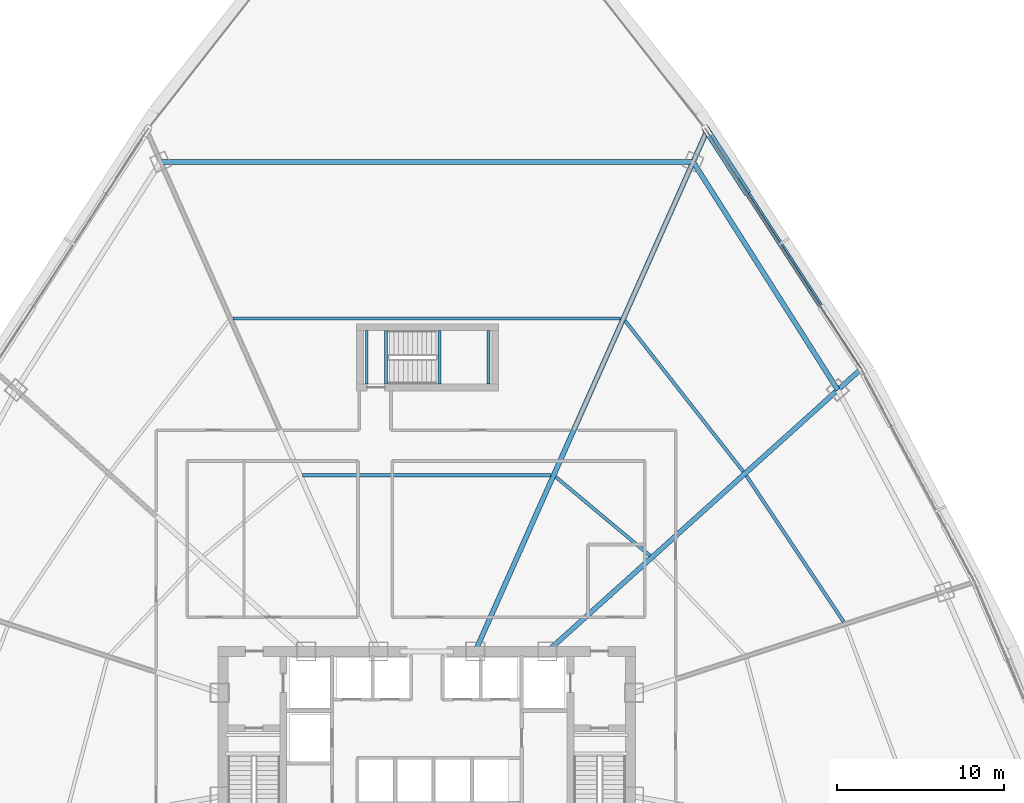
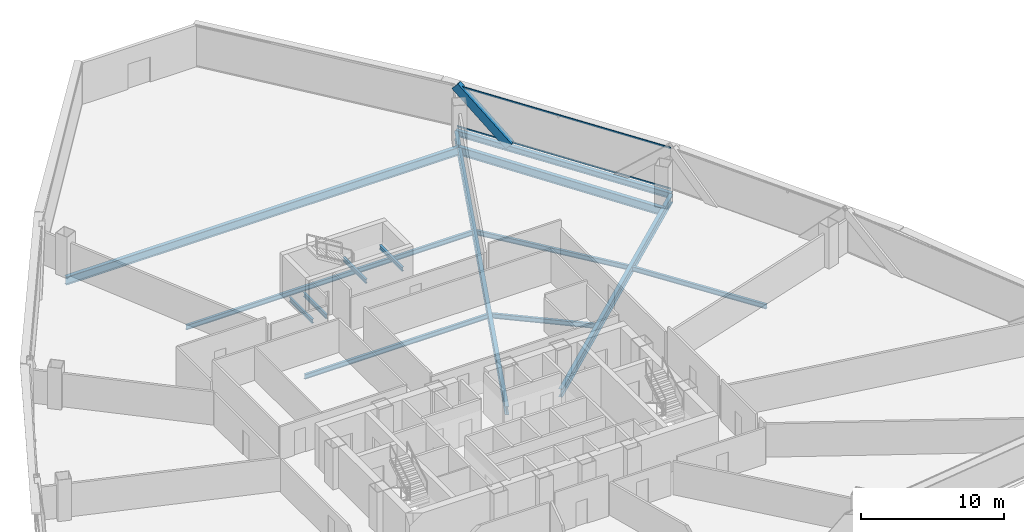
# One storey, part 17 of 39: 14 beams, 3 members, 1 element without a shape of its own.
"""IFC4 building model written with IfcOpenShell, lengths in metres."""

from ifc_helpers import new_model, si_unit, direction, frame, origin, origin_2d, place, context, subcontext, project, spatial, hollow_rectangle, i_section, extrude, source, transform, mapped, material, layer, layer_set, material_profile, profile_set, type_object, element, aggregate, save


model = new_model("IFC4")

# Units and contexts
model_context = context("Model", 3, precision=1e-05, world=origin(), true_north=direction((0.0, 1.0)))
body_context = subcontext(model_context, "Body", "Model", "MODEL_VIEW")
ifc_project = project(units=[si_unit("LENGTHUNIT", "METRE"), si_unit("AREAUNIT", "SQUARE_METRE"), si_unit("VOLUMEUNIT", "CUBIC_METRE"), si_unit("PLANEANGLEUNIT", "RADIAN"), si_unit("MASSUNIT", "GRAM", prefix="KILO"), si_unit("THERMODYNAMICTEMPERATUREUNIT", "KELVIN"), si_unit("POWERUNIT", "WATT")], contexts=[model_context])

# Site, building, storey
site_placement = place(None, origin())
site = spatial("IfcSite", under=ifc_project, at=site_placement, CompositionType="ELEMENT")
building_placement = place(site_placement, origin())
building = spatial("IfcBuilding", under=site, at=building_placement, Name="Yunzhuo Pagoda Commons", CompositionType="ELEMENT")
storey_placement = place(building_placement, frame((0.0, 0.0, 92.580078125)))
storey = spatial("IfcBuildingStorey", under=building, at=storey_placement, Name="L23", CompositionType="ELEMENT", Elevation=92.580078125)

# Beams
ifc_material_1 = material(Name="Structural steel Q355B", Category="steel")
ifc_material_profile_1 = material_profile(ifc_material_1, i_section(OverallWidth=0.175048828125, OverallDepth=0.35009765625, WebThickness=0.007080078125, FlangeThickness=0.010986328125, at=origin_2d()), Name="Structural steel Q355B")
ifc_profile_set_1 = profile_set([ifc_material_profile_1], Name="Structural steel Q355B")
beam_type_1 = type_object("IfcBeamType", Name="B-JS2 Joist HN 350x175x7x11", PredefinedType="JOIST", material=ifc_profile_set_1)
shared_shape_1 = source(origin(), body_context, "Body", "SweptSolid", [
    extrude(i_section(OverallWidth=0.175048828125, OverallDepth=0.35009765625, WebThickness=0.007080078125, FlangeThickness=0.010986328125, at=origin_2d()), origin(), (0.0, 0.0, 1.0), 3.199951171875),
])
for number, where, z_axis, x_axis, name in (
    (1, (48.75, 56.199951171875, 1.525146484375), (0.0, 1.0, 0.0), (-1.0, 0.0, 0.0), "L23 ST3 landing support beam 29A"),
    (2, (51.699951171875, 56.199951171875, 1.525146484375), (0.0, 1.0, 0.0), (-1.0, 0.0, 0.0), "L23 ST3 landing support beam 29B"),
    (3, (44.39990234375, 56.199951171875, -0.375), (0.0, 1.0, 0.0), (-1.0, 0.0, 0.0), "L23 ST3 landing support beam 97A"),
    (4, (45.550048828125, 56.199951171875, -0.375), (0.0, 1.0, 0.0), (-1.0, 0.0, 0.0), "L23 ST3 landing support beam 97B"),
):
    element("IfcBeam", number, at=place(storey_placement, frame(where, z_axis=z_axis, x_axis=x_axis)), inside=storey, type_object=beam_type_1, Name=name, PredefinedType="JOIST", context=body_context, shape_type="MappedRepresentation", body=[
        mapped(shared_shape_1, transform((0.0, 0.0, 0.0), scale=1.0)),
    ])
ifc_material_profile_2 = material_profile(ifc_material_1, i_section(OverallWidth=0.300048828125, OverallDepth=0.699951171875, WebThickness=0.012939453125, FlangeThickness=0.02392578125, at=origin_2d()), Name="Structural steel Q355B")
ifc_profile_set_2 = profile_set([ifc_material_profile_2], Name="Structural steel Q355B")
beam_type_2 = type_object("IfcBeamType", Name="B-RG1 Beam HN 700x300x13x24", PredefinedType="BEAM", material=ifc_profile_set_2)
shared_shape_2 = source(origin(), body_context, "Body", "SweptSolid", [
    extrude(i_section(OverallWidth=0.300048828125, OverallDepth=0.699951171875, WebThickness=0.012939453125, FlangeThickness=0.02392578125, at=origin_2d()), origin(), (0.0, 0.0, 1.0), 16.16845703125),
])
beam_1_placement = place(storey_placement, frame((72.602783203125, 55.852294921875, -0.610107421875), z_axis=(-0.535695673154, 0.844411123662, 0.0), x_axis=(-0.844411123662, -0.535695673154, 0.0)))
element("IfcBeam", 5, at=beam_1_placement, inside=storey, type_object=beam_type_2, Name="L23 column-ring beam 7", PredefinedType="BEAM", context=body_context, shape_type="MappedRepresentation", body=[
    mapped(shared_shape_2, transform((0.0, 0.0, 0.0), scale=1.0)),
])
shared_shape_3 = source(origin(), body_context, "Body", "SweptSolid", [
    extrude(i_section(OverallWidth=0.300048828125, OverallDepth=0.699951171875, WebThickness=0.012939453125, FlangeThickness=0.02392578125, at=origin_2d()), origin(), (0.0, 0.0, 1.0), 31.8828125),
])
beam_2_placement = place(storey_placement, frame((63.94140625, 69.505126953125, -0.610107421875), z_axis=(-1.0, 0.0, 0.0), x_axis=(0.0, -1.0, 0.0)))
element("IfcBeam", 6, at=beam_2_placement, inside=storey, type_object=beam_type_2, Name="L23 column-ring beam 8", PredefinedType="BEAM", context=body_context, shape_type="MappedRepresentation", body=[
    mapped(shared_shape_3, transform((0.0, 0.0, 0.0), scale=1.0)),
])
ifc_material_profile_3 = material_profile(ifc_material_1, i_section(OverallWidth=0.199951171875, OverallDepth=0.39990234375, WebThickness=0.008056640625, FlangeThickness=0.012939453125, at=origin_2d()), Name="Structural steel Q355B")
ifc_profile_set_3 = profile_set([ifc_material_profile_3], Name="Structural steel Q355B")
beam_type_3 = type_object("IfcBeamType", Name="B-JS1 Joist HN 400x200x8x13", PredefinedType="JOIST", material=ifc_profile_set_3)
shared_shape_4 = source(origin(), body_context, "Body", "SweptSolid", [
    extrude(i_section(OverallWidth=0.199951171875, OverallDepth=0.39990234375, WebThickness=0.008056640625, FlangeThickness=0.012939453125, at=origin_2d()), origin(), (0.0, 0.0, 1.0), 10.50537109375),
])
beam_3_placement = place(storey_placement, frame((72.95361328125, 41.968994140625, -0.4599609375), z_axis=(-0.554523204193, 0.832168261839, 0.0), x_axis=(-0.832168261839, -0.554523204193, 0.0)))
element("IfcBeam", 7, at=beam_3_placement, inside=storey, type_object=beam_type_3, Name="L23 composite ring joist 2.6", PredefinedType="JOIST", context=body_context, shape_type="MappedRepresentation", body=[
    mapped(shared_shape_4, transform((0.0, 0.0, 0.0), scale=1.0)),
])
shared_shape_5 = source(origin(), body_context, "Body", "SweptSolid", [
    extrude(i_section(OverallWidth=0.199951171875, OverallDepth=0.39990234375, WebThickness=0.008056640625, FlangeThickness=0.012939453125, at=origin_2d()), origin(), (0.0, 0.0, 1.0), 7.350341796875),
])
beam_4_placement = place(storey_placement, frame((61.355224609375, 45.936767578125, -0.4599609375), z_axis=(-0.767589283892, 0.640942034239, 0.0), x_axis=(-0.640942034239, -0.767589283892, 0.0)))
element("IfcBeam", 8, at=beam_4_placement, inside=storey, type_object=beam_type_3, Name="L23 composite ring joist 1.7", PredefinedType="JOIST", context=body_context, shape_type="MappedRepresentation", body=[
    mapped(shared_shape_5, transform((0.0, 0.0, 0.0), scale=1.0)),
])
shared_shape_6 = source(origin(), body_context, "Body", "SweptSolid", [
    extrude(i_section(OverallWidth=0.199951171875, OverallDepth=0.39990234375, WebThickness=0.008056640625, FlangeThickness=0.012939453125, at=origin_2d()), origin(), (0.0, 0.0, 1.0), 11.475830078125),
])
beam_5_placement = place(storey_placement, frame((66.942138671875, 50.96875, -0.4599609375), z_axis=(-0.616739539478, 0.787167288728, 0.0), x_axis=(-0.787167288728, -0.616739539478, 0.0)))
element("IfcBeam", 9, at=beam_5_placement, inside=storey, type_object=beam_type_3, Name="L23 composite ring joist 2.7", PredefinedType="JOIST", context=body_context, shape_type="MappedRepresentation", body=[
    mapped(shared_shape_6, transform((0.0, 0.0, 0.0), scale=1.0)),
])
shared_shape_7 = source(origin(), body_context, "Body", "SweptSolid", [
    extrude(i_section(OverallWidth=0.199951171875, OverallDepth=0.39990234375, WebThickness=0.008056640625, FlangeThickness=0.012939453125, at=origin_2d()), origin(), (0.0, 0.0, 1.0), 14.8642578125),
])
beam_6_placement = place(storey_placement, frame((55.43212890625, 50.749755859375, -0.4599609375), z_axis=(-1.0, 0.0, 0.0), x_axis=(0.0, -1.0, 0.0)))
element("IfcBeam", 10, at=beam_6_placement, inside=storey, type_object=beam_type_3, Name="L23 composite ring joist 1.8", PredefinedType="JOIST", context=body_context, shape_type="MappedRepresentation", body=[
    mapped(shared_shape_7, transform((0.0, 0.0, 0.0), scale=1.0)),
])
shared_shape_8 = source(origin(), body_context, "Body", "SweptSolid", [
    extrude(i_section(OverallWidth=0.199951171875, OverallDepth=0.39990234375, WebThickness=0.008056640625, FlangeThickness=0.012939453125, at=origin_2d()), origin(), (0.0, 0.0, 1.0), 23.21484375),
])
beam_7_placement = place(storey_placement, frame((59.607421875, 60.12744140625, -0.4599609375), z_axis=(-1.0, 0.0, 0.0), x_axis=(0.0, -1.0, 0.0)))
element("IfcBeam", 11, at=beam_7_placement, inside=storey, type_object=beam_type_3, Name="L23 composite ring joist 2.8", PredefinedType="JOIST", context=body_context, shape_type="MappedRepresentation", body=[
    mapped(shared_shape_8, transform((0.0, 0.0, 0.0), scale=1.0)),
])
shared_shape_9 = source(origin(), body_context, "Body", "SweptSolid", [
    extrude(i_section(OverallWidth=0.300048828125, OverallDepth=0.699951171875, WebThickness=0.012939453125, FlangeThickness=0.02392578125, at=origin_2d()), origin(), (0.0, 0.0, 1.0), 25.1318359375),
])
beam_8_placement = place(storey_placement, frame((73.8955078125, 57.016357421875, -0.610107421875), z_axis=(-0.743144868879, -0.669130558156, 0.0), x_axis=(0.669130558156, -0.743144868879, 0.0)))
element("IfcBeam", 12, at=beam_8_placement, inside=storey, type_object=beam_type_2, Name="L23 radial floor girder F2C3", PredefinedType="BEAM", context=body_context, shape_type="MappedRepresentation", body=[
    mapped(shared_shape_9, transform((0.0, 0.0, 0.0), scale=1.0)),
])
shared_shape_10 = source(origin(), body_context, "Body", "SweptSolid", [
    extrude(i_section(OverallWidth=0.300048828125, OverallDepth=0.699951171875, WebThickness=0.012939453125, FlangeThickness=0.02392578125, at=origin_2d()), origin(), (0.0, 0.0, 1.0), 33.961181640625),
])
beam_9_placement = place(storey_placement, frame((64.707275390625, 71.22509765625, -0.610107421875), z_axis=(-0.406735346576, -0.91354603488, 0.0), x_axis=(0.91354603488, -0.406735346576, 0.0)))
element("IfcBeam", 13, at=beam_9_placement, inside=storey, type_object=beam_type_2, Name="L23 radial floor girder F2C4", PredefinedType="BEAM", context=body_context, shape_type="MappedRepresentation", body=[
    mapped(shared_shape_10, transform((0.0, 0.0, 0.0), scale=1.0)),
])
ifc_material_profile_4 = material_profile(ifc_material_1, i_section(OverallWidth=0.300048828125, OverallDepth=0.488037109375, WebThickness=0.010986328125, FlangeThickness=0.01806640625, at=origin_2d()), Name="Structural steel Q355B")
ifc_profile_set_4 = profile_set([ifc_material_profile_4], Name="Structural steel Q355B")
beam_type_4 = type_object("IfcBeamType", Name="B-SP1 Beam HM 488x300x11x18", PredefinedType="BEAM", material=ifc_profile_set_4)
shared_shape_11 = source(origin(), body_context, "Body", "SweptSolid", [
    extrude(i_section(OverallWidth=0.300048828125, OverallDepth=0.488037109375, WebThickness=0.010986328125, FlangeThickness=0.01806640625, at=origin_2d()), origin(), (0.0, 0.0, 1.0), 16.980712890625),
])
beam_10_placement = place(storey_placement, frame((74.0107421875, 57.1201171875, -0.504150390625), z_axis=(-0.544174968166, 0.838971754007, 0.0), x_axis=(-0.838971754007, -0.544174968166, 0.0)))
element("IfcBeam", 14, at=beam_10_placement, inside=storey, type_object=beam_type_4, Name="L23 facade edge spandrel beam F2.3", PredefinedType="BEAM", context=body_context, shape_type="MappedRepresentation", body=[
    mapped(shared_shape_11, transform((0.0, 0.0, 0.0), scale=1.0)),
])

# Member
ifc_material_2 = material(Name="Structural steel Q420B", Category="steel")
ifc_material_profile_5 = material_profile(ifc_material_2, hollow_rectangle(XDim=0.419921875, YDim=0.719970703125, WallThickness=0.028076171875, at=origin_2d()), Name="Structural steel Q420B")
ifc_profile_set_5 = profile_set([ifc_material_profile_5], Name="Structural steel Q420B")
member_type_1 = type_object("IfcMemberType", Name="M-DL1 Brace BOX 720x420x28", PredefinedType="BRACE", material=ifc_profile_set_5)
shared_shape_12 = source(origin(), body_context, "Body", "SweptSolid", [
    extrude(hollow_rectangle(XDim=0.419921875, YDim=0.719970703125, WallThickness=0.028076171875, at=origin_2d()), origin(), (0.0, 0.0, 1.0), 5.697509765625),
])
member_1_placement = place(storey_placement, frame((67.080322265625, 67.804931640625, -0.260009765625), z_axis=(-0.405453235797, 0.625105876538, 0.666971001393), x_axis=(-0.838974060503, -0.544171412152, 0.0)))
element("IfcMember", 15, at=member_1_placement, inside=storey, type_object=member_type_1, Name="L23 facade diamond brace F2.3R", PredefinedType="BRACE", context=body_context, shape_type="MappedRepresentation", body=[
    mapped(shared_shape_12, transform((0.0, 0.0, 0.0), scale=1.0)),
])

# Curtain wall, members
ifc_material_3 = material(Name="Anodized aluminium 6063-T6", Category="aluminium")
ifc_layer = layer(ifc_material_3, 0.1650390625)
ifc_layer_set = layer_set([ifc_layer], Name="Anodized aluminium 6063-T6")
curtain_wall_type = type_object("IfcCurtainWallType", Name="CW-LOW Low-Zone Ribbon Curtain Wall", PredefinedType="NOTDEFINED", material=ifc_layer_set)
curtain_wall_placement = place(storey_placement, origin())
curtain_wall = element("IfcCurtainWall", 16, at=curtain_wall_placement, inside=storey, type_object=curtain_wall_type, Name="L23 curtain wall CW-L23-F2B4", PredefinedType="NOTDEFINED")
ifc_material_profile_6 = material_profile(ifc_material_3, hollow_rectangle(XDim=0.06005859375, YDim=0.139892578125, WallThickness=0.00341796875, at=origin_2d()), Name="Anodized aluminium 6063-T6")
ifc_profile_set_6 = profile_set([ifc_material_profile_6], Name="Anodized aluminium 6063-T6")
member_type_2 = type_object("IfcMemberType", Name="CW-LOW-T Transom RHS 140x60x3.5", PredefinedType="USERDEFINED", material=ifc_profile_set_6)
shared_shape_13 = source(origin(), body_context, "Body", "SweptSolid", [
    extrude(hollow_rectangle(XDim=0.06005859375, YDim=0.139892578125, WallThickness=0.00341796875, at=origin_2d()), origin(), (0.0, 0.0, 1.0), 16.8505859375),
])
member_2_placement = place(storey_placement, frame((73.975341796875, 57.1748046875, 0.030029296875), z_axis=(-0.544174292348, 0.838972192356, 0.0), x_axis=(-0.838972192356, -0.544174292348, 0.0)))
member_2 = element("IfcMember", 17, at=member_2_placement, type_object=member_type_2, Name="CW transom 1.1", ObjectType="TRANSOM", PredefinedType="USERDEFINED", context=body_context, shape_type="MappedRepresentation", body=[
    mapped(shared_shape_13, transform((0.0, 0.0, 0.0), scale=1.0)),
])
member_3_placement = place(storey_placement, frame((73.975341796875, 57.1748046875, 3.510009765625), z_axis=(-0.544174292348, 0.838972192356, 0.0), x_axis=(-0.838972192356, -0.544174292348, 0.0)))
member_3 = element("IfcMember", 18, at=member_3_placement, type_object=member_type_2, Name="CW transom 1.2", ObjectType="TRANSOM", PredefinedType="USERDEFINED", context=body_context, shape_type="MappedRepresentation", body=[
    mapped(shared_shape_13, transform((0.0, 0.0, 0.0), scale=1.0)),
])
aggregate(curtain_wall, [member_2, member_3])

save(model, "model.ifc")
